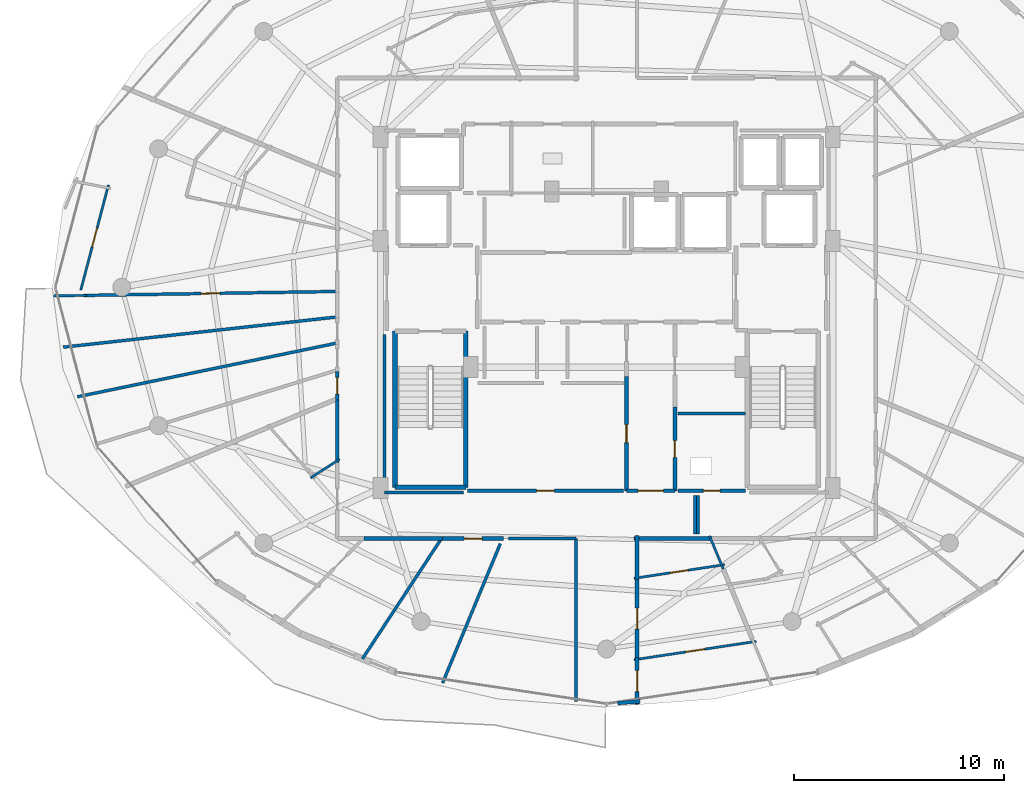
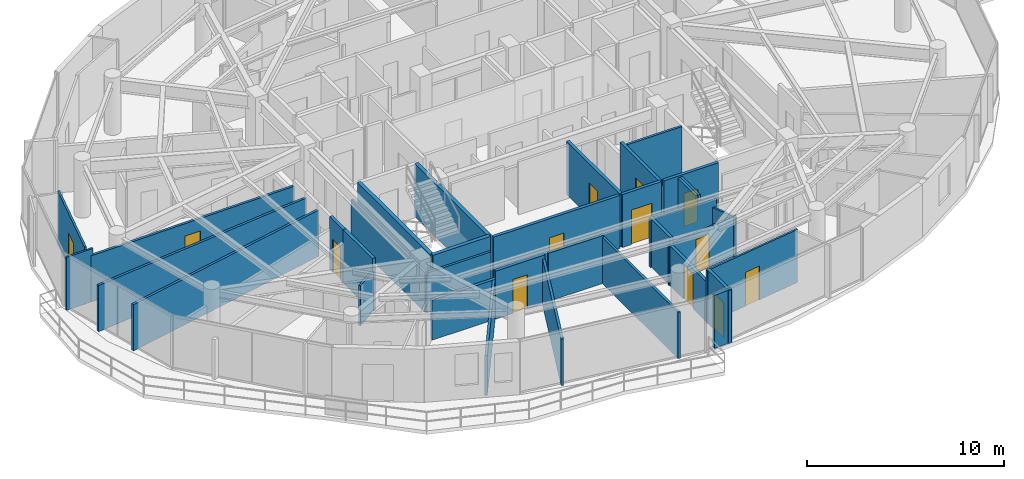
# One storey, part 23 of 31: 35 walls, 13 doors, 13 openings.
"""IFC4 building model written with IfcOpenShell, lengths in metres."""

from ifc_helpers import new_model, si_unit, direction, frame, frame_2d, origin, place, context, subcontext, project, spatial, rectangle, extrude, material, layer, layer_set, type_object, element, fill, save


model = new_model("IFC4")

# Units and contexts
model_context = context("Model", 3, precision=1e-05, world=origin(), true_north=direction((0.0, 1.0)))
body_context = subcontext(model_context, "Body", "Model", "MODEL_VIEW")
ifc_project = project(units=[si_unit("LENGTHUNIT", "METRE"), si_unit("AREAUNIT", "SQUARE_METRE"), si_unit("VOLUMEUNIT", "CUBIC_METRE"), si_unit("PLANEANGLEUNIT", "RADIAN"), si_unit("MASSUNIT", "GRAM", prefix="KILO")], contexts=[model_context])

# Site, building, storey
site_placement = place(None, origin())
site = spatial("IfcSite", under=ifc_project, at=site_placement, CompositionType="ELEMENT")
building_placement = place(site_placement, origin())
building = spatial("IfcBuilding", under=site, at=building_placement, Name="Vorneva Point Tower", CompositionType="ELEMENT")
storey_placement = place(building_placement, frame((0.0, 0.0, 266.199951171875)))
storey = spatial("IfcBuildingStorey", under=building, at=storey_placement, Name="L72", CompositionType="ELEMENT", Elevation=266.199951171875)

# Wall, opening, door
ifc_material_1 = material(Name="Fire-rated acoustic gypsum stud partition", Category="gypsum")
ifc_layer_1 = layer(ifc_material_1, 0.110107421875)
ifc_layer_set_1 = layer_set([ifc_layer_1], Name="Fire-rated acoustic gypsum stud partition")
wall_type_1 = type_object("IfcWallType", Name="WL-PART-110", PredefinedType="PARTITIONING", material=ifc_layer_set_1)
wall_1_placement = place(storey_placement, frame((14.318603515625, 30.8603515625, 0.0), z_axis=(0.0, 0.0, 1.0), x_axis=(-0.254404898477, -0.967097796312, 0.0)))
wall_1 = element("IfcWall", 1, at=wall_1_placement, inside=storey, type_object=wall_type_1, Name="L72 Interior Partition 091", PredefinedType="PARTITIONING", context=body_context, shape_type="SweptSolid", body=[
    extrude(rectangle(XDim=5.165771484375, YDim=0.110107421875, at=frame_2d((2.5830078125, 0.0))), origin(), (0.0, 0.0, 1.0), 3.2900390625),
])
opening_1_placement = place(wall_1_placement, frame((2.1328125, 0.0, 0.0)))
opening_1 = element("IfcOpeningElement", 2, at=opening_1_placement, cuts=wall_1, Name="Opening ID-01", PredefinedType="OPENING", context=body_context, shape_type="SweptSolid", body=[
    extrude(rectangle(XDim=0.89990234375, YDim=2.10009765625, at=frame_2d((0.449951171875, 1.050048828125))), frame((0.0, 0.06982421875, 0.0), z_axis=(0.0, -1.0, 0.0), x_axis=(1.0, 0.0, 0.0)), (0.0, 0.0, 1.0), 0.139892578125),
])
ifc_material_2 = material(Name="Engineered oak fire-rated door leaf", Category="wood")
door_type_1 = type_object("IfcDoorType", Name="DR-ROOM-900", OperationType="NOTDEFINED", PredefinedType="DOOR", material=ifc_material_2)
door_1_placement = place(opening_1_placement, origin())
door_1 = element("IfcDoor", 3, at=door_1_placement, inside=storey, type_object=door_type_1, Name="L72 Door Living and Dining Room L72-04 / Kitchen L72-04", OperationType="SINGLE_SWING_LEFT", OverallHeight=2.10009765625, OverallWidth=0.89990234375, PredefinedType="DOOR", context=body_context, shape_type="SweptSolid", body=[
    extrude(rectangle(XDim=0.89990234375, YDim=2.10009765625, at=frame_2d((0.449951171875, 1.050048828125))), frame((0.0, 0.02490234375, 0.0), z_axis=(0.0, -1.0, 0.0), x_axis=(1.0, 0.0, 0.0)), (0.0, 0.0, 1.0), 0.050048828125),
])
fill(opening_1, door_1)

# Walls
wall_2_placement = place(storey_placement, frame((11.714111328125, 25.5869140625, 0.0), z_axis=(0.0, 0.0, 1.0), x_axis=(0.9998813462, 0.015404334465, 0.0)))
element("IfcWall", 4, at=wall_2_placement, inside=storey, type_object=wall_type_1, Name="L72 Interior Partition 098", PredefinedType="PARTITIONING", context=body_context, shape_type="SweptSolid", body=[
    extrude(rectangle(XDim=1.569091796875, YDim=0.110107421875, at=frame_2d((0.78466796875, 0.0))), origin(), (0.0, 0.0, 1.0), 3.2900390625),
])
wall_3_placement = place(storey_placement, frame((25.317626953125, 17.827880859375, 0.0), z_axis=(0.0, 0.0, 1.0), x_axis=(-0.840783734709, -0.541371140207, 0.0)))
element("IfcWall", 5, at=wall_3_placement, inside=storey, type_object=wall_type_1, Name="L72 Interior Partition 103", PredefinedType="PARTITIONING", context=body_context, shape_type="SweptSolid", body=[
    extrude(rectangle(XDim=1.648681640625, YDim=0.110107421875, at=frame_2d((0.82421875, 0.0))), origin(), (0.0, 0.0, 1.0), 2.48193359375),
])
wall_4_placement = place(storey_placement, frame((43.549560546875, 12.602783203125, 0.0), z_axis=(0.0, 0.0, 1.0), x_axis=(-0.382735094105, 0.923858131826, 0.0)))
element("IfcWall", 6, at=wall_4_placement, inside=storey, type_object=wall_type_1, Name="L72 Interior Partition 111", PredefinedType="PARTITIONING", context=body_context, shape_type="SweptSolid", body=[
    extrude(rectangle(XDim=1.706298828125, YDim=0.110107421875, at=frame_2d((0.85302734375, 0.0))), origin(), (0.0, 0.0, 1.0), 2.48193359375),
])

# Wall, opening, door
wall_5_placement = place(storey_placement, frame((43.611328125, 12.807861328125, 0.0), z_axis=(0.0, 0.0, 1.0), x_axis=(-0.988876968465, -0.148735810213, 0.0)))
wall_5 = element("IfcWall", 7, at=wall_5_placement, inside=storey, type_object=wall_type_1, Name="L72 Interior Partition 112", PredefinedType="PARTITIONING", context=body_context, shape_type="SweptSolid", body=[
    extrude(rectangle(XDim=4.34814453125, YDim=0.110107421875, at=frame_2d((2.174072265625, 0.0))), origin(), (0.0, 0.0, 1.0), 2.48193359375),
])
opening_2_placement = place(wall_5_placement, frame((1.7490234375, 0.0, 0.0)))
opening_2 = element("IfcOpeningElement", 8, at=opening_2_placement, cuts=wall_5, Name="Opening ID-02", PredefinedType="OPENING", context=body_context, shape_type="SweptSolid", body=[
    extrude(rectangle(XDim=0.85009765625, YDim=2.10009765625, at=frame_2d((0.425048828125, 1.050048828125))), frame((0.0, 0.06982421875, 0.0), z_axis=(0.0, -1.0, 0.0), x_axis=(1.0, 0.0, 0.0)), (0.0, 0.0, 1.0), 0.139892578125),
])
door_type_2 = type_object("IfcDoorType", Name="DR-BATH-850", OperationType="NOTDEFINED", PredefinedType="DOOR", material=ifc_material_2)
door_2_placement = place(opening_2_placement, origin())
door_2 = element("IfcDoor", 9, at=door_2_placement, inside=storey, type_object=door_type_2, Name="L72 Door Studio Apartment L72-06 / Bathroom L72-06", OperationType="SINGLE_SWING_LEFT", OverallHeight=2.10009765625, OverallWidth=0.85009765625, PredefinedType="DOOR", context=body_context, shape_type="SweptSolid", body=[
    extrude(rectangle(XDim=0.85009765625, YDim=2.10009765625, at=frame_2d((0.425048828125, 1.050048828125))), frame((0.0, 0.02490234375, 0.0), z_axis=(0.0, -1.0, 0.0), x_axis=(1.0, 0.0, 0.0)), (0.0, 0.0, 1.0), 0.050048828125),
])
fill(opening_2, door_2)

wall_6_placement = place(storey_placement, frame((39.3115234375, 8.289306640625, 0.0), z_axis=(0.0, 0.0, 1.0), x_axis=(0.988884781275, 0.1486838571, 0.0)))
wall_6 = element("IfcWall", 10, at=wall_6_placement, inside=storey, type_object=wall_type_1, Name="L72 Interior Partition 114", PredefinedType="PARTITIONING", context=body_context, shape_type="SweptSolid", body=[
    extrude(rectangle(XDim=5.875, YDim=0.110107421875, at=frame_2d((2.9375, 0.0))), origin(), (0.0, 0.0, 1.0), 3.2900390625),
])
opening_3_placement = place(wall_6_placement, frame((2.487548828125, 0.0, 0.0)))
opening_3 = element("IfcOpeningElement", 11, at=opening_3_placement, cuts=wall_6, Name="Opening ID-01", PredefinedType="OPENING", context=body_context, shape_type="SweptSolid", body=[
    extrude(rectangle(XDim=0.89990234375, YDim=2.10009765625, at=frame_2d((0.449951171875, 1.050048828125))), frame((0.0, 0.06982421875, 0.0), z_axis=(0.0, -1.0, 0.0), x_axis=(1.0, 0.0, 0.0)), (0.0, 0.0, 1.0), 0.139892578125),
])
door_3_placement = place(opening_3_placement, origin())
door_3 = element("IfcDoor", 12, at=door_3_placement, inside=storey, type_object=door_type_1, Name="L72 Door Studio Apartment L72-06 / Kitchen L72-06", OperationType="SINGLE_SWING_RIGHT", OverallHeight=2.10009765625, OverallWidth=0.89990234375, PredefinedType="DOOR", context=body_context, shape_type="SweptSolid", body=[
    extrude(rectangle(XDim=0.89990234375, YDim=2.10009765625, at=frame_2d((0.449951171875, 1.050048828125))), frame((0.0, 0.02490234375, 0.0), z_axis=(0.0, -1.0, 0.0), x_axis=(1.0, 0.0, 0.0)), (0.0, 0.0, 1.0), 0.050048828125),
])
fill(opening_3, door_3)

# Wall
ifc_layer_2 = layer(ifc_material_1, 0.139892578125)
ifc_layer_set_2 = layer_set([ifc_layer_2], Name="Fire-rated acoustic gypsum stud partition")
wall_type_2 = type_object("IfcWallType", Name="WL-PART-140", PredefinedType="PARTITIONING", material=ifc_layer_set_2)
wall_7_placement = place(storey_placement, frame((44.60009765625, 20.0, 0.0), z_axis=(0.0, 0.0, 1.0), x_axis=(-1.0, 0.0, 0.0)))
element("IfcWall", 13, at=wall_7_placement, inside=storey, type_object=wall_type_2, Name="L72 Interior Partition 020", PredefinedType="PARTITIONING", context=body_context, shape_type="SweptSolid", body=[
    extrude(rectangle(XDim=3.2001953125, YDim=0.139892578125, at=frame_2d((1.60009765625, 0.0))), origin(), (0.0, 0.0, 1.0), 3.2900390625),
])

# Wall, opening, door
wall_8_placement = place(storey_placement, frame((13.14306640625, 25.60888671875, 0.0), z_axis=(0.0, 0.0, 1.0), x_axis=(0.999875613351, 0.015772058374, 0.0)))
wall_8 = element("IfcWall", 14, at=wall_8_placement, inside=storey, type_object=wall_type_2, Name="L72 Interior Partition 095", PredefinedType="PARTITIONING", context=body_context, shape_type="SweptSolid", body=[
    extrude(rectangle(XDim=12.058349609375, YDim=0.139892578125, at=frame_2d((6.029296875, 0.0))), origin(), (0.0, 0.0, 1.0), 2.8740234375),
])
opening_4_placement = place(wall_8_placement, frame((5.5791015625, 0.0, 0.0)))
opening_4 = element("IfcOpeningElement", 15, at=opening_4_placement, cuts=wall_8, Name="Opening ID-01", PredefinedType="OPENING", context=body_context, shape_type="SweptSolid", body=[
    extrude(rectangle(XDim=0.89990234375, YDim=2.10009765625, at=frame_2d((0.449951171875, 1.050048828125))), frame((0.0, 0.0849609375, 0.0), z_axis=(0.0, -1.0, 0.0), x_axis=(1.0, 0.0, 0.0)), (0.0, 0.0, 1.0), 0.169677734375),
])
door_4_placement = place(opening_4_placement, origin())
door_4 = element("IfcDoor", 16, at=door_4_placement, inside=storey, type_object=door_type_1, Name="L72 Door Living and Dining Room L72-04 / Master Bedroom L72-04.1", OperationType="SINGLE_SWING_LEFT", OverallHeight=2.10009765625, OverallWidth=0.89990234375, PredefinedType="DOOR", context=body_context, shape_type="SweptSolid", body=[
    extrude(rectangle(XDim=0.89990234375, YDim=2.10009765625, at=frame_2d((0.449951171875, 1.050048828125))), frame((0.0, 0.02490234375, 0.0), z_axis=(0.0, -1.0, 0.0), x_axis=(1.0, 0.0, 0.0)), (0.0, 0.0, 1.0), 0.050048828125),
])
fill(opening_4, door_4)

# Walls
wall_9_placement = place(storey_placement, frame((12.172119140625, 23.14892578125, 0.0), z_axis=(0.0, 0.0, 1.0), x_axis=(0.993963433103, 0.109711866515, 0.0)))
element("IfcWall", 17, at=wall_9_placement, inside=storey, type_object=wall_type_2, Name="L72 Interior Partition 099", PredefinedType="PARTITIONING", context=body_context, shape_type="SweptSolid", body=[
    extrude(rectangle(XDim=13.10693359375, YDim=0.139892578125, at=frame_2d((6.553466796875, 0.0))), origin(), (0.0, 0.0, 1.0), 2.8740234375),
])
wall_10_placement = place(storey_placement, frame((12.844970703125, 20.791015625, 0.0), z_axis=(0.0, 0.0, 1.0), x_axis=(0.97923049011, 0.202750208975, 0.0)))
element("IfcWall", 18, at=wall_10_placement, inside=storey, type_object=wall_type_2, Name="L72 Interior Partition 100", PredefinedType="PARTITIONING", context=body_context, shape_type="SweptSolid", body=[
    extrude(rectangle(XDim=12.616943359375, YDim=0.139892578125, at=frame_2d((6.30859375, 0.0))), origin(), (0.0, 0.0, 1.0), 2.8740234375),
])
wall_11_placement = place(storey_placement, frame((26.39697265625, 8.3359375, 0.0), z_axis=(0.0, 0.0, 1.0), x_axis=(0.548967647923, 0.835843598728, 0.0)))
element("IfcWall", 19, at=wall_11_placement, inside=storey, type_object=wall_type_2, Name="L72 Interior Partition 110", PredefinedType="PARTITIONING", context=body_context, shape_type="SweptSolid", body=[
    extrude(rectangle(XDim=6.83642578125, YDim=0.139892578125, at=frame_2d((3.418212890625, 0.0))), origin(), (0.0, 0.0, 1.0), 2.48193359375),
])
wall_12_placement = place(storey_placement, frame((33.330078125, 14.050048828125, 0.0), z_axis=(0.0, 0.0, 1.0), x_axis=(1.0, 0.0, 0.0)))
element("IfcWall", 20, at=wall_12_placement, inside=storey, type_object=wall_type_2, Name="L72 Interior Closure Partition 136", PredefinedType="PARTITIONING", context=body_context, shape_type="SweptSolid", body=[
    extrude(rectangle(XDim=3.219970703125, YDim=0.139892578125, at=frame_2d((1.60986328125, 0.0))), origin(), (0.0, 0.0, 1.0), 2.97900390625),
])
wall_13_placement = place(storey_placement, frame((36.550048828125, 14.050048828125, 0.0), z_axis=(0.0, 0.0, 1.0), x_axis=(0.0, -1.0, 0.0)))
element("IfcWall", 21, at=wall_13_placement, inside=storey, type_object=wall_type_2, Name="L72 Interior Closure Partition 137", PredefinedType="PARTITIONING", context=body_context, shape_type="SweptSolid", body=[
    extrude(rectangle(XDim=7.7509765625, YDim=0.139892578125, at=frame_2d((3.87548828125, 0.0))), origin(), (0.0, 0.0, 1.0), 2.8740234375),
])
wall_14_placement = place(storey_placement, frame((42.340087890625, 14.27001953125, 0.0), z_axis=(0.0, 0.0, 1.0), x_axis=(0.0, 1.0, 0.0)))
element("IfcWall", 22, at=wall_14_placement, inside=storey, type_object=wall_type_2, Name="L72 Interior Closure Partition 140", PredefinedType="PARTITIONING", context=body_context, shape_type="SweptSolid", body=[
    extrude(rectangle(XDim=1.830078125, YDim=0.139892578125, at=frame_2d((0.9150390625, 0.0))), origin(), (0.0, 0.0, 1.0), 3.2900390625),
])
wall_15_placement = place(storey_placement, frame((27.449951171875, 23.75390625, 0.0), z_axis=(0.0, 0.0, 1.0), x_axis=(0.0, -1.0, 0.0)))
element("IfcWall", 23, at=wall_15_placement, inside=storey, type_object=wall_type_2, Name="L72 Interior Closure Partition 148", PredefinedType="PARTITIONING", context=body_context, shape_type="SweptSolid", body=[
    extrude(rectangle(XDim=7.513916015625, YDim=0.139892578125, at=frame_2d((3.7568359375, 0.0))), origin(), (0.0, 0.0, 1.0), 2.48193359375),
])
wall_16_placement = place(storey_placement, frame((27.449951171875, 16.239990234375, 0.0), z_axis=(0.0, 0.0, 1.0), x_axis=(1.0, 0.0, 0.0)))
element("IfcWall", 24, at=wall_16_placement, inside=storey, type_object=wall_type_2, Name="L72 Interior Closure Partition 149", PredefinedType="PARTITIONING", context=body_context, shape_type="SweptSolid", body=[
    extrude(rectangle(XDim=3.7451171875, YDim=0.139892578125, at=frame_2d((1.87255859375, 0.0))), origin(), (0.0, 0.0, 1.0), 2.48193359375),
])
wall_17_placement = place(storey_placement, frame((42.199951171875, 16.10009765625, 0.0), z_axis=(0.0, 0.0, 1.0), x_axis=(0.0, -1.0, 0.0)))
element("IfcWall", 25, at=wall_17_placement, inside=storey, type_object=wall_type_2, Name="L72 Interior Closure Partition 150", PredefinedType="PARTITIONING", context=body_context, shape_type="SweptSolid", body=[
    extrude(rectangle(XDim=1.830078125, YDim=0.139892578125, at=frame_2d((0.9150390625, 0.0))), origin(), (0.0, 0.0, 1.0), 3.2900390625),
])
wall_18_placement = place(storey_placement, frame((30.20703125, 7.18701171875, 0.0), z_axis=(0.0, 0.0, 1.0), x_axis=(0.382679691634, 0.923881081964, 0.0)))
element("IfcWall", 26, at=wall_18_placement, inside=storey, type_object=wall_type_2, Name="L72 Interior Closure Partition 153", PredefinedType="PARTITIONING", context=body_context, shape_type="SweptSolid", body=[
    extrude(rectangle(XDim=7.167724609375, YDim=0.139892578125, at=frame_2d((3.583984375, 0.0))), origin(), (0.0, 0.0, 1.0), 2.8740234375),
])

# Wall, opening, door
ifc_material_3 = material(Name="Autoclaved aerated concrete blockwork", Category="masonry")
ifc_layer_3 = layer(ifc_material_3, 0.179931640625)
ifc_layer_set_3 = layer_set([ifc_layer_3], Name="Autoclaved aerated concrete blockwork")
wall_type_3 = type_object("IfcWallType", Name="WL-PART-180", PredefinedType="PARTITIONING", material=ifc_layer_set_3)
wall_19_placement = place(storey_placement, frame((41.25, 16.320068359375, 0.0), z_axis=(0.0, 0.0, 1.0), x_axis=(0.0, 1.0, 0.0)))
wall_19 = element("IfcWall", 27, at=wall_19_placement, inside=storey, type_object=wall_type_3, Name="L72 Interior Partition 015", PredefinedType="PARTITIONING", context=body_context, shape_type="SweptSolid", body=[
    extrude(rectangle(XDim=3.98486328125, YDim=0.179931640625, at=frame_2d((1.992431640625, 0.0))), origin(), (0.0, 0.0, 1.0), 3.2900390625),
])
opening_5_placement = place(wall_19_placement, frame((1.592529296875, 0.0, 0.0)))
opening_5 = element("IfcOpeningElement", 28, at=opening_5_placement, cuts=wall_19, Name="Opening RD-01", PredefinedType="OPENING", context=body_context, shape_type="SweptSolid", body=[
    extrude(rectangle(XDim=0.800048828125, YDim=2.050048828125, at=frame_2d((0.39990234375, 1.02490234375))), frame((0.0, 0.10498046875, 0.0), z_axis=(0.0, -1.0, 0.0), x_axis=(1.0, 0.0, 0.0)), (0.0, 0.0, 1.0), 0.209716796875),
])
ifc_material_4 = material(Name="Fire-rated powder-coated steel", Category="steel")
door_type_3 = type_object("IfcDoorType", Name="DR-RSR-800", OperationType="SINGLE_SWING_LEFT", PredefinedType="DOOR", material=ifc_material_4)
door_5_placement = place(opening_5_placement, origin())
door_5 = element("IfcDoor", 29, at=door_5_placement, inside=storey, type_object=door_type_3, Name="L72 Door Core Service Lobby / Electrical Riser", OperationType="SINGLE_SWING_LEFT", OverallHeight=2.050048828125, OverallWidth=0.800048828125, PredefinedType="DOOR", context=body_context, shape_type="SweptSolid", body=[
    extrude(rectangle(XDim=0.800048828125, YDim=2.050048828125, at=frame_2d((0.39990234375, 1.02490234375))), frame((0.0, 0.02490234375, 0.0), z_axis=(0.0, -1.0, 0.0), x_axis=(1.0, 0.0, 0.0)), (0.0, 0.0, 1.0), 0.050048828125),
])
fill(opening_5, door_5)

wall_20_placement = place(storey_placement, frame((38.949951171875, 21.7548828125, 0.0), z_axis=(0.0, 0.0, 1.0), x_axis=(0.0, -1.0, 0.0)))
wall_20 = element("IfcWall", 30, at=wall_20_placement, inside=storey, type_object=wall_type_3, Name="L72 Interior Partition 017", PredefinedType="PARTITIONING", context=body_context, shape_type="SweptSolid", body=[
    extrude(rectangle(XDim=5.434814453125, YDim=0.179931640625, at=frame_2d((2.71728515625, 0.0))), origin(), (0.0, 0.0, 1.0), 3.2900390625),
])
opening_6_placement = place(wall_20_placement, frame((2.29248046875, 0.0, 0.0)))
opening_6 = element("IfcOpeningElement", 31, at=opening_6_placement, cuts=wall_20, Name="Opening ID-02", PredefinedType="OPENING", context=body_context, shape_type="SweptSolid", body=[
    extrude(rectangle(XDim=0.85009765625, YDim=2.10009765625, at=frame_2d((0.425048828125, 1.050048828125))), frame((0.0, 0.10498046875, 0.0), z_axis=(0.0, -1.0, 0.0), x_axis=(1.0, 0.0, 0.0)), (0.0, 0.0, 1.0), 0.209716796875),
])
door_6_placement = place(opening_6_placement, origin())
door_6 = element("IfcDoor", 32, at=door_6_placement, inside=storey, type_object=door_type_2, Name="L72 Door Core Service Lobby / Floor Storage Room", OperationType="SINGLE_SWING_LEFT", OverallHeight=2.10009765625, OverallWidth=0.85009765625, PredefinedType="DOOR", context=body_context, shape_type="SweptSolid", body=[
    extrude(rectangle(XDim=0.85009765625, YDim=2.10009765625, at=frame_2d((0.425048828125, 1.050048828125))), frame((0.0, 0.02490234375, 0.0), z_axis=(0.0, -1.0, 0.0), x_axis=(1.0, 0.0, 0.0)), (0.0, 0.0, 1.0), 0.050048828125),
])
fill(opening_6, door_6)

wall_21_placement = place(storey_placement, frame((38.949951171875, 16.320068359375, 0.0), z_axis=(0.0, 0.0, 1.0), x_axis=(1.0, 0.0, 0.0)))
wall_21 = element("IfcWall", 33, at=wall_21_placement, inside=storey, type_object=wall_type_3, Name="L72 Interior Partition 019", PredefinedType="PARTITIONING", context=body_context, shape_type="SweptSolid", body=[
    extrude(rectangle(XDim=2.300048828125, YDim=0.179931640625, at=frame_2d((1.14990234375, 0.0))), origin(), (0.0, 0.0, 1.0), 3.2900390625),
])
opening_7_placement = place(wall_21_placement, frame((0.550048828125, 0.0, 0.0)))
opening_7 = element("IfcOpeningElement", 34, at=opening_7_placement, cuts=wall_21, Name="Opening FD-02", PredefinedType="OPENING", context=body_context, shape_type="SweptSolid", body=[
    extrude(rectangle(XDim=1.199951171875, YDim=2.14990234375, at=frame_2d((0.60009765625, 1.074951171875))), frame((0.0, 0.10498046875, 0.0), z_axis=(0.0, -1.0, 0.0), x_axis=(1.0, 0.0, 0.0)), (0.0, 0.0, 1.0), 0.209716796875),
])
door_type_4 = type_object("IfcDoorType", Name="DR-FFL-1200", OperationType="NOTDEFINED", PredefinedType="DOOR", material=ifc_material_4)
door_7_placement = place(opening_7_placement, origin())
door_7 = element("IfcDoor", 35, at=door_7_placement, inside=storey, type_object=door_type_4, Name="L72 Door Core Service Lobby / L72 Circulation Corridor", OperationType="SINGLE_SWING_LEFT", OverallHeight=2.14990234375, OverallWidth=1.199951171875, PredefinedType="DOOR", context=body_context, shape_type="SweptSolid", body=[
    extrude(rectangle(XDim=1.199951171875, YDim=2.14990234375, at=frame_2d((0.60009765625, 1.074951171875))), frame((0.0, 0.02490234375, 0.0), z_axis=(0.0, -1.0, 0.0), x_axis=(1.0, 0.0, 0.0)), (0.0, 0.0, 1.0), 0.050048828125),
])
fill(opening_7, door_7)

wall_22_placement = place(storey_placement, frame((41.39990234375, 16.320068359375, 0.0), z_axis=(0.0, 0.0, 1.0), x_axis=(1.0, 0.0, 0.0)))
wall_22 = element("IfcWall", 36, at=wall_22_placement, inside=storey, type_object=wall_type_3, Name="L72 Interior Partition 021", PredefinedType="PARTITIONING", context=body_context, shape_type="SweptSolid", body=[
    extrude(rectangle(XDim=3.2001953125, YDim=0.179931640625, at=frame_2d((1.60009765625, 0.0))), origin(), (0.0, 0.0, 1.0), 3.2900390625),
])
opening_8_placement = place(wall_22_placement, frame((1.199951171875, 0.0, 0.0)))
opening_8 = element("IfcOpeningElement", 37, at=opening_8_placement, cuts=wall_22, Name="Opening RD-01", PredefinedType="OPENING", context=body_context, shape_type="SweptSolid", body=[
    extrude(rectangle(XDim=0.800048828125, YDim=2.050048828125, at=frame_2d((0.39990234375, 1.02490234375))), frame((0.0, 0.10498046875, 0.0), z_axis=(0.0, -1.0, 0.0), x_axis=(1.0, 0.0, 0.0)), (0.0, 0.0, 1.0), 0.209716796875),
])
door_8_placement = place(opening_8_placement, origin())
door_8 = element("IfcDoor", 38, at=door_8_placement, inside=storey, type_object=door_type_3, Name="L72 Door Electrical Riser / L72 Circulation Corridor", OperationType="SINGLE_SWING_RIGHT", OverallHeight=2.050048828125, OverallWidth=0.800048828125, PredefinedType="DOOR", context=body_context, shape_type="SweptSolid", body=[
    extrude(rectangle(XDim=0.800048828125, YDim=2.050048828125, at=frame_2d((0.39990234375, 1.02490234375))), frame((0.0, 0.02490234375, 0.0), z_axis=(0.0, -1.0, 0.0), x_axis=(1.0, 0.0, 0.0)), (0.0, 0.0, 1.0), 0.050048828125),
])
fill(opening_8, door_8)

wall_23_placement = place(storey_placement, frame((31.39990234375, 16.320068359375, 0.0), z_axis=(0.0, 0.0, 1.0), x_axis=(1.0, 0.0, 0.0)))
wall_23 = element("IfcWall", 39, at=wall_23_placement, inside=storey, type_object=wall_type_3, Name="L72 Interior Partition 030", PredefinedType="PARTITIONING", context=body_context, shape_type="SweptSolid", body=[
    extrude(rectangle(XDim=7.400146484375, YDim=0.179931640625, at=frame_2d((3.7001953125, 0.0))), origin(), (0.0, 0.0, 1.0), 3.2900390625),
])
opening_9_placement = place(wall_23_placement, frame((3.27490234375, 0.0, 0.0)))
opening_9 = element("IfcOpeningElement", 40, at=opening_9_placement, cuts=wall_23, Name="Opening ID-02", PredefinedType="OPENING", context=body_context, shape_type="SweptSolid", body=[
    extrude(rectangle(XDim=0.85009765625, YDim=2.10009765625, at=frame_2d((0.425048828125, 1.050048828125))), frame((0.0, 0.10498046875, 0.0), z_axis=(0.0, -1.0, 0.0), x_axis=(1.0, 0.0, 0.0)), (0.0, 0.0, 1.0), 0.209716796875),
])
door_9_placement = place(opening_9_placement, origin())
door_9 = element("IfcDoor", 41, at=door_9_placement, inside=storey, type_object=door_type_2, Name="L72 Door Floor Storage Room / L72 Circulation Corridor", OperationType="SINGLE_SWING_LEFT", OverallHeight=2.10009765625, OverallWidth=0.85009765625, PredefinedType="DOOR", context=body_context, shape_type="SweptSolid", body=[
    extrude(rectangle(XDim=0.85009765625, YDim=2.10009765625, at=frame_2d((0.425048828125, 1.050048828125))), frame((0.0, 0.02490234375, 0.0), z_axis=(0.0, -1.0, 0.0), x_axis=(1.0, 0.0, 0.0)), (0.0, 0.0, 1.0), 0.050048828125),
])
fill(opening_9, door_9)

wall_24_placement = place(storey_placement, frame((25.199951171875, 21.9990234375, 0.0), z_axis=(0.0, 0.0, 1.0), x_axis=(0.0, -1.0, 0.0)))
wall_24 = element("IfcWall", 42, at=wall_24_placement, inside=storey, type_object=wall_type_3, Name="L72 Interior Partition 047", PredefinedType="PARTITIONING", context=body_context, shape_type="SweptSolid", body=[
    extrude(rectangle(XDim=1.365966796875, YDim=0.179931640625, at=frame_2d((0.68310546875, 0.0))), origin(), (0.0, 0.0, 1.0), 3.2900390625),
])
opening_10_placement = place(wall_24_placement, frame((0.282958984375, 0.0, 0.0)))
opening_10 = element("IfcOpeningElement", 43, at=opening_10_placement, cuts=wall_24, Name="Opening RD-01", PredefinedType="OPENING", context=body_context, shape_type="SweptSolid", body=[
    extrude(rectangle(XDim=0.800048828125, YDim=2.050048828125, at=frame_2d((0.39990234375, 1.02490234375))), frame((0.0, 0.10498046875, 0.0), z_axis=(0.0, -1.0, 0.0), x_axis=(1.0, 0.0, 0.0)), (0.0, 0.0, 1.0), 0.209716796875),
])
door_10_placement = place(opening_10_placement, origin())
door_10 = element("IfcDoor", 44, at=door_10_placement, inside=storey, type_object=door_type_3, Name="L72 Access Door L72 Circulation Corridor", OperationType="SINGLE_SWING_RIGHT", OverallHeight=2.050048828125, OverallWidth=0.800048828125, PredefinedType="DOOR", context=body_context, shape_type="SweptSolid", body=[
    extrude(rectangle(XDim=0.800048828125, YDim=2.050048828125, at=frame_2d((0.39990234375, 1.02490234375))), frame((0.0, 0.02490234375, 0.0), z_axis=(0.0, -1.0, 0.0), x_axis=(1.0, 0.0, 0.0)), (0.0, 0.0, 1.0), 0.050048828125),
])
fill(opening_10, door_10)

# Walls
wall_25_placement = place(storey_placement, frame((25.199951171875, 20.77294921875, 0.0), z_axis=(0.0, 0.0, 1.0), x_axis=(0.0, -1.0, 0.0)))
element("IfcWall", 45, at=wall_25_placement, inside=storey, type_object=wall_type_3, Name="L72 Interior Partition 050", PredefinedType="PARTITIONING", context=body_context, shape_type="SweptSolid", body=[
    extrude(rectangle(XDim=3.100830078125, YDim=0.179931640625, at=frame_2d((1.55029296875, 0.0))), origin(), (0.0, 0.0, 1.0), 3.2900390625),
])
wall_26_placement = place(storey_placement, frame((26.47998046875, 14.050048828125, 0.0), z_axis=(0.0, 0.0, 1.0), x_axis=(1.0, 0.0, 0.0)))
element("IfcWall", 46, at=wall_26_placement, inside=storey, type_object=wall_type_3, Name="L72 Interior Partition 051", PredefinedType="PARTITIONING", context=body_context, shape_type="SweptSolid", body=[
    extrude(rectangle(XDim=3.72998046875, YDim=0.179931640625, at=frame_2d((1.864990234375, 0.0))), origin(), (0.0, 0.0, 1.0), 2.48193359375),
])

# Wall, opening, door
wall_27_placement = place(storey_placement, frame((30.2099609375, 14.050048828125, 0.0), z_axis=(0.0, 0.0, 1.0), x_axis=(1.0, 0.0, 0.0)))
wall_27 = element("IfcWall", 47, at=wall_27_placement, inside=storey, type_object=wall_type_3, Name="L72 Interior Partition 052", PredefinedType="PARTITIONING", context=body_context, shape_type="SweptSolid", body=[
    extrude(rectangle(XDim=2.900146484375, YDim=0.179931640625, at=frame_2d((1.4501953125, 0.0))), origin(), (0.0, 0.0, 1.0), 2.97900390625),
])
opening_11_placement = place(wall_27_placement, frame((1.02490234375, 0.0, 0.0)))
opening_11 = element("IfcOpeningElement", 48, at=opening_11_placement, cuts=wall_27, Name="Opening ID-02", PredefinedType="OPENING", context=body_context, shape_type="SweptSolid", body=[
    extrude(rectangle(XDim=0.85009765625, YDim=2.10009765625, at=frame_2d((0.425048828125, 1.050048828125))), frame((0.0, 0.10498046875, 0.0), z_axis=(0.0, -1.0, 0.0), x_axis=(1.0, 0.0, 0.0)), (0.0, 0.0, 1.0), 0.209716796875),
])
door_11_placement = place(opening_11_placement, origin())
door_11 = element("IfcDoor", 49, at=door_11_placement, inside=storey, type_object=door_type_2, Name="L72 Access Door L72 Circulation Corridor", OperationType="SINGLE_SWING_LEFT", OverallHeight=2.10009765625, OverallWidth=0.85009765625, PredefinedType="DOOR", context=body_context, shape_type="SweptSolid", body=[
    extrude(rectangle(XDim=0.85009765625, YDim=2.10009765625, at=frame_2d((0.425048828125, 1.050048828125))), frame((0.0, 0.02490234375, 0.0), z_axis=(0.0, -1.0, 0.0), x_axis=(1.0, 0.0, 0.0)), (0.0, 0.0, 1.0), 0.050048828125),
])
fill(opening_11, door_11)

wall_28_placement = place(storey_placement, frame((39.449951171875, 8.25, 0.0), z_axis=(0.0, 0.0, 1.0), x_axis=(0.0, 1.0, 0.0)))
wall_28 = element("IfcWall", 50, at=wall_28_placement, inside=storey, type_object=wall_type_3, Name="L72 Interior Partition 053", PredefinedType="PARTITIONING", context=body_context, shape_type="SweptSolid", body=[
    extrude(rectangle(XDim=3.992919921875, YDim=0.179931640625, at=frame_2d((1.99658203125, 0.0))), origin(), (0.0, 0.0, 1.0), 2.48193359375),
])
opening_12_placement = place(wall_28_placement, frame((1.49658203125, 0.0, 0.0)))
opening_12 = element("IfcOpeningElement", 51, at=opening_12_placement, cuts=wall_28, Name="Opening UD-01", PredefinedType="OPENING", context=body_context, shape_type="SweptSolid", body=[
    extrude(rectangle(XDim=1.0, YDim=2.14990234375, at=frame_2d((0.5, 1.074951171875))), frame((0.0, 0.10498046875, 0.0), z_axis=(0.0, -1.0, 0.0), x_axis=(1.0, 0.0, 0.0)), (0.0, 0.0, 1.0), 0.209716796875),
])
door_type_5 = type_object("IfcDoorType", Name="DR-UNIT-1000", OperationType="NOTDEFINED", PredefinedType="DOOR", material=ifc_material_2)
door_12_placement = place(opening_12_placement, origin())
door_12 = element("IfcDoor", 52, at=door_12_placement, inside=storey, type_object=door_type_5, Name="L72 Door L72 Circulation Corridor / Studio Apartment L72-06", OperationType="SINGLE_SWING_RIGHT", OverallHeight=2.14990234375, OverallWidth=1.0, PredefinedType="DOOR", context=body_context, shape_type="SweptSolid", body=[
    extrude(rectangle(XDim=1.0, YDim=2.14990234375, at=frame_2d((0.5, 1.074951171875))), frame((0.0, 0.02490234375, 0.0), z_axis=(0.0, -1.0, 0.0), x_axis=(1.0, 0.0, 0.0)), (0.0, 0.0, 1.0), 0.050048828125),
])
fill(opening_12, door_12)

# Walls
wall_29_placement = place(storey_placement, frame((39.449951171875, 12.10302734375, 0.0), z_axis=(0.0, 0.0, 1.0), x_axis=(0.0, 1.0, 0.0)))
element("IfcWall", 53, at=wall_29_placement, inside=storey, type_object=wall_type_3, Name="L72 Interior Partition 054", PredefinedType="PARTITIONING", context=body_context, shape_type="SweptSolid", body=[
    extrude(rectangle(XDim=2.0869140625, YDim=0.179931640625, at=frame_2d((1.04345703125, 0.0))), origin(), (0.0, 0.0, 1.0), 2.97900390625),
])
wall_30_placement = place(storey_placement, frame((39.31005859375, 14.050048828125, 0.0), z_axis=(0.0, 0.0, 1.0), x_axis=(1.0, 0.0, 0.0)))
element("IfcWall", 54, at=wall_30_placement, inside=storey, type_object=wall_type_3, Name="L72 Interior Partition 055", PredefinedType="PARTITIONING", context=body_context, shape_type="SweptSolid", body=[
    extrude(rectangle(XDim=3.844970703125, YDim=0.179931640625, at=frame_2d((1.92236328125, 0.0))), origin(), (0.0, 0.0, 1.0), 2.97900390625),
])
wall_31_placement = place(storey_placement, frame((38.531494140625, 6.2294921875, 0.0), z_axis=(0.0, 0.0, 1.0), x_axis=(0.997148461952, 0.075464858219, 0.0)))
element("IfcWall", 55, at=wall_31_placement, inside=storey, type_object=wall_type_3, Name="L72 Interior Partition 056", PredefinedType="PARTITIONING", context=body_context, shape_type="SweptSolid", body=[
    extrude(rectangle(XDim=1.06103515625, YDim=0.179931640625, at=frame_2d((0.530517578125, 0.0))), origin(), (0.0, 0.0, 1.0), 3.2900390625),
])

# Wall, opening, door
wall_32_placement = place(storey_placement, frame((39.449951171875, 6.158935546875, 0.0), z_axis=(0.0, 0.0, 1.0), x_axis=(0.0, 1.0, 0.0)))
wall_32 = element("IfcWall", 56, at=wall_32_placement, inside=storey, type_object=wall_type_3, Name="L72 Interior Partition 057", PredefinedType="PARTITIONING", context=body_context, shape_type="SweptSolid", body=[
    extrude(rectangle(XDim=2.23095703125, YDim=0.179931640625, at=frame_2d((1.115478515625, 0.0))), origin(), (0.0, 0.0, 1.0), 3.2900390625),
])
opening_13_placement = place(wall_32_placement, frame((0.615478515625, 0.0, 0.0)))
opening_13 = element("IfcOpeningElement", 57, at=opening_13_placement, cuts=wall_32, Name="Opening UD-01", PredefinedType="OPENING", context=body_context, shape_type="SweptSolid", body=[
    extrude(rectangle(XDim=1.0, YDim=2.14990234375, at=frame_2d((0.5, 1.074951171875))), frame((0.0, 0.10498046875, 0.0), z_axis=(0.0, -1.0, 0.0), x_axis=(1.0, 0.0, 0.0)), (0.0, 0.0, 1.0), 0.209716796875),
])
door_13_placement = place(opening_13_placement, origin())
door_13 = element("IfcDoor", 58, at=door_13_placement, inside=storey, type_object=door_type_5, Name="L72 Door L72 Circulation Corridor / Kitchen L72-06", OperationType="SINGLE_SWING_LEFT", OverallHeight=2.14990234375, OverallWidth=1.0, PredefinedType="DOOR", context=body_context, shape_type="SweptSolid", body=[
    extrude(rectangle(XDim=1.0, YDim=2.14990234375, at=frame_2d((0.5, 1.074951171875))), frame((0.0, 0.02490234375, 0.0), z_axis=(0.0, -1.0, 0.0), x_axis=(1.0, 0.0, 0.0)), (0.0, 0.0, 1.0), 0.050048828125),
])
fill(opening_13, door_13)

# Walls
ifc_material_5 = material(Name="Concrete B50 (C40/50)", Category="concrete")
ifc_layer_4 = layer(ifc_material_5, 0.219970703125)
ifc_layer_set_4 = layer_set([ifc_layer_4], Name="Concrete B50 (C40/50)")
wall_type_4 = type_object("IfcWallType", Name="WL-SHFT-220", PredefinedType="SOLIDWALL", material=ifc_layer_set_4)
wall_33_placement = place(storey_placement, frame((31.31005859375, 23.909912109375, 0.0), z_axis=(0.0, 0.0, 1.0), x_axis=(0.0, -1.0, 0.0)))
element("IfcWall", 59, at=wall_33_placement, inside=storey, type_object=wall_type_4, Name="L72 Exit Stair ST1 Shaft Wall right", PredefinedType="SOLIDWALL", context=body_context, shape_type="SweptSolid", body=[
    extrude(rectangle(XDim=7.419921875, YDim=0.219970703125, at=frame_2d((3.7099609375, 0.0))), origin(), (0.0, 0.0, 1.0), 3.2900390625),
])
wall_34_placement = place(storey_placement, frame((31.31005859375, 16.489990234375, 0.0), z_axis=(0.0, 0.0, 1.0), x_axis=(-1.0, 0.0, 0.0)))
element("IfcWall", 60, at=wall_34_placement, inside=storey, type_object=wall_type_4, Name="L72 Exit Stair ST1 Shaft Wall far", PredefinedType="SOLIDWALL", context=body_context, shape_type="SweptSolid", body=[
    extrude(rectangle(XDim=3.3701171875, YDim=0.219970703125, at=frame_2d((1.68505859375, 0.0))), origin(), (0.0, 0.0, 1.0), 3.2900390625),
])
wall_35_placement = place(storey_placement, frame((27.93994140625, 16.489990234375, 0.0), z_axis=(0.0, 0.0, 1.0), x_axis=(0.0, 1.0, 0.0)))
element("IfcWall", 61, at=wall_35_placement, inside=storey, type_object=wall_type_4, Name="L72 Exit Stair ST1 Shaft Wall left", PredefinedType="SOLIDWALL", context=body_context, shape_type="SweptSolid", body=[
    extrude(rectangle(XDim=7.419921875, YDim=0.219970703125, at=frame_2d((3.7099609375, 0.0))), origin(), (0.0, 0.0, 1.0), 3.2900390625),
])

save(model, "model.ifc")
